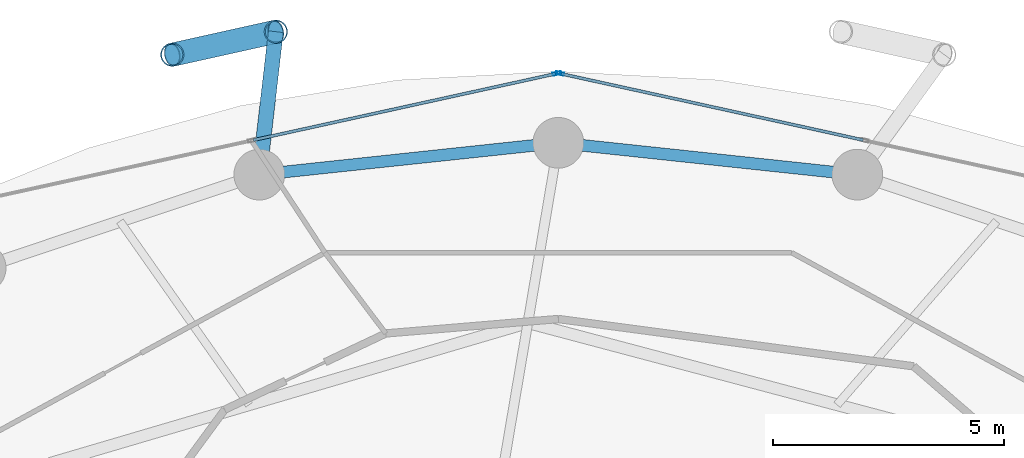
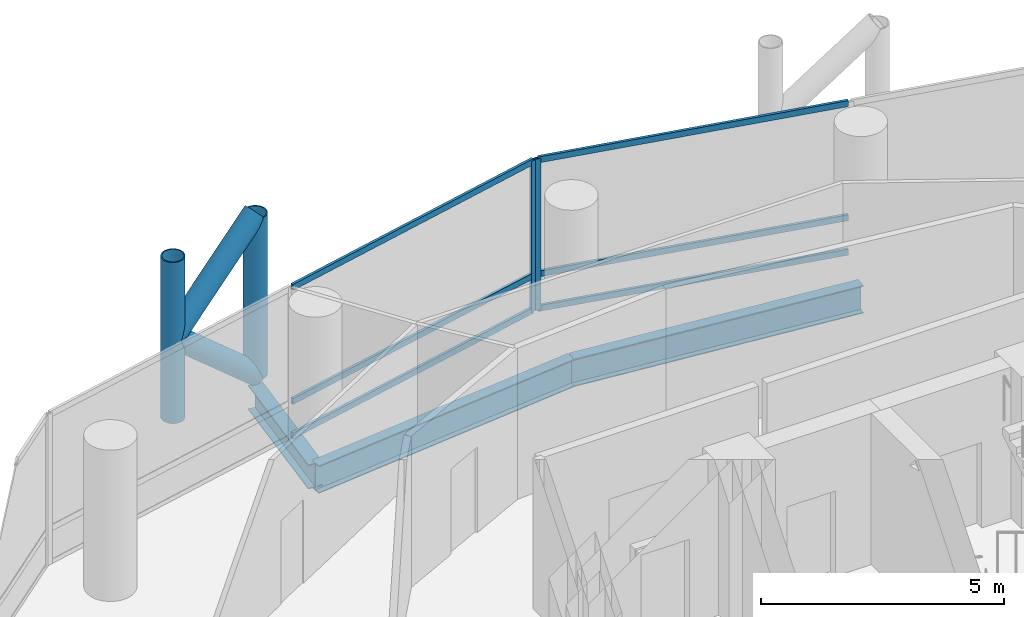
# One storey, part 16 of 25: 12 members, 3 beams, 2 elements without a shape of their own.
"""IFC4 building model written with IfcOpenShell, lengths in metres."""

from ifc_helpers import new_model, si_unit, direction, frame, origin, origin_2d, place, context, subcontext, project, spatial, hollow_rectangle, hollow_circle, i_section, extrude, material, layer, layer_set, material_profile, profile_set, type_object, element, aggregate, save


model = new_model("IFC4")

# Units and contexts
model_context = context("Model", 3, precision=1e-05, world=origin(), true_north=direction((0.0, 1.0)))
body_context = subcontext(model_context, "Body", "Model", "MODEL_VIEW")
ifc_project = project(units=[si_unit("LENGTHUNIT", "METRE"), si_unit("AREAUNIT", "SQUARE_METRE"), si_unit("VOLUMEUNIT", "CUBIC_METRE"), si_unit("PLANEANGLEUNIT", "RADIAN"), si_unit("MASSUNIT", "GRAM", prefix="KILO")], contexts=[model_context])

# Site, building, storey
site_placement = place(None, origin())
site = spatial("IfcSite", under=ifc_project, at=site_placement, CompositionType="ELEMENT")
building_placement = place(site_placement, origin())
building = spatial("IfcBuilding", under=site, at=building_placement, Name="Nuhasar Tower", CompositionType="ELEMENT")
storey_placement = place(building_placement, frame((0.0, 0.0, 61.5)))
storey = spatial("IfcBuildingStorey", under=building, at=storey_placement, Name="L14", CompositionType="ELEMENT", Elevation=61.5)

# Beams
ifc_material_1 = material(Name="Steel S355", Category="steel")
ifc_material_profile_1 = material_profile(ifc_material_1, i_section(OverallWidth=0.256103515625, OverallDepth=0.693115234375, WebThickness=0.014404296875, FlangeThickness=0.023681640625, at=origin_2d()), Name="W27X114")
ifc_profile_set_1 = profile_set([ifc_material_profile_1], Name="Steel S355")
beam_type_1 = type_object("IfcBeamType", Name="BM-RING-W27X114", PredefinedType="SPANDREL", material=ifc_profile_set_1)
for number, where, z_axis, x_axis, name in (
    (1, (45.48291015625, 46.360107421875, -0.595947265625), (-0.994384554061, 0.105827022286, 0.0), (-0.105827022286, -0.994384554061, 0.0), "L14 Perimeter Ring Spandrel 06"),
    (2, (39.0, 47.050048828125, -0.595947265625), (-0.994384554061, -0.105827022286, 0.0), (0.105827022286, -0.994384554061, 0.0), "L14 Perimeter Ring Spandrel 07"),
):
    element("IfcBeam", number, at=place(storey_placement, frame(where, z_axis=z_axis, x_axis=x_axis)), inside=storey, type_object=beam_type_1, Name=name, PredefinedType="SPANDREL", context=body_context, shape_type="SweptSolid", body=[
        extrude(i_section(OverallWidth=0.256103515625, OverallDepth=0.693115234375, WebThickness=0.014404296875, FlangeThickness=0.023681640625, at=origin_2d()), origin(), (0.0, 0.0, 1.0), 6.51953125),
    ])
ifc_material_profile_2 = material_profile(ifc_material_1, i_section(OverallWidth=0.323974609375, OverallDepth=0.611083984375, WebThickness=0.0126953125, FlangeThickness=0.01904296875, at=origin_2d()), Name="W24X104")
ifc_profile_set_2 = profile_set([ifc_material_profile_2], Name="Steel S355")
beam_type_2 = type_object("IfcBeamType", Name="BM-TIE-W24X104", PredefinedType="BEAM", material=ifc_profile_set_2)
beam_placement = place(storey_placement, frame((32.51708984375, 46.360107421875, -0.555908203125), z_axis=(0.115042934281, 0.993360520291, 0.0), x_axis=(-0.993360520291, 0.115042934281, 0.0)))
element("IfcBeam", 3, at=beam_placement, inside=storey, type_object=beam_type_2, Name="L14 Exoskeleton Node Tie Beam 04", PredefinedType="BEAM", context=body_context, shape_type="SweptSolid", body=[
    extrude(i_section(OverallWidth=0.323974609375, OverallDepth=0.611083984375, WebThickness=0.0126953125, FlangeThickness=0.01904296875, at=origin_2d()), origin(), (0.0, 0.0, 1.0), 3.11962890625),
])

# Curtain wall, member
ifc_material_2 = material(Name="Aluminium 6063-T6", Category="aluminium")
ifc_layer = layer(ifc_material_2, 0.199951171875)
ifc_layer_set = layer_set([ifc_layer], Name="Aluminium 6063-T6")
curtain_wall_type = type_object("IfcCurtainWallType", Name="CW-Z1-OFF", PredefinedType="NOTDEFINED", material=ifc_layer_set)
curtain_wall_1_placement = place(storey_placement, origin())
curtain_wall_1 = element("IfcCurtainWall", 4, at=curtain_wall_1_placement, inside=storey, type_object=curtain_wall_type, Name="L14 Unitised Curtain Wall 03", PredefinedType="NOTDEFINED")
ifc_material_profile_3 = material_profile(ifc_material_2, hollow_rectangle(XDim=0.06494140625, YDim=0.179931640625, WallThickness=0.0048828125, at=origin_2d()), Name="CWM-2")
ifc_profile_set_3 = profile_set([ifc_material_profile_3], Name="Aluminium 6063-T6")
member_type_1 = type_object("IfcMemberType", Name="CW-MUL-S2", PredefinedType="MULLION", material=ifc_profile_set_3)
member_1_placement = place(storey_placement, frame((39.03173828125, 48.552978515625, 0.0), z_axis=(0.0, 0.0, 1.0), x_axis=(-0.214398737637, -0.976746221544, 0.0)))
member_1 = element("IfcMember", 5, at=member_1_placement, type_object=member_type_1, Name="CW-Z1 mullion 3", PredefinedType="MULLION", context=body_context, shape_type="SweptSolid", body=[
    extrude(hollow_rectangle(XDim=0.06494140625, YDim=0.179931640625, WallThickness=0.0048828125, at=origin_2d()), origin(), (0.0, 0.0, 1.0), 3.800048828125),
])

curtain_wall_2_placement = place(storey_placement, origin())
curtain_wall_2 = element("IfcCurtainWall", 6, at=curtain_wall_2_placement, inside=storey, type_object=curtain_wall_type, Name="L14 Unitised Curtain Wall 04", PredefinedType="NOTDEFINED")
member_2_placement = place(storey_placement, frame((38.96826171875, 48.552978515625, 0.0), z_axis=(0.0, 0.0, 1.0), x_axis=(0.214398737637, -0.976746221544, 0.0)))
member_2 = element("IfcMember", 7, at=member_2_placement, type_object=member_type_1, Name="CW-Z1 mullion 1", PredefinedType="MULLION", context=body_context, shape_type="SweptSolid", body=[
    extrude(hollow_rectangle(XDim=0.06494140625, YDim=0.179931640625, WallThickness=0.0048828125, at=origin_2d()), origin(), (0.0, 0.0, 1.0), 3.800048828125),
])

# Member
ifc_material_profile_4 = material_profile(ifc_material_2, hollow_rectangle(XDim=0.06494140625, YDim=0.14990234375, WallThickness=0.00439453125, at=origin_2d()), Name="CWT-2")
ifc_profile_set_4 = profile_set([ifc_material_profile_4], Name="Aluminium 6063-T6")
member_type_2 = type_object("IfcMemberType", Name="CW-TRN-S2", PredefinedType="USERDEFINED", material=ifc_profile_set_4)
member_3_placement = place(storey_placement, frame((45.608154296875, 47.109375, 0.032470703125), z_axis=(-0.976740248595, 0.214425947065, 0.0), x_axis=(-0.214425947065, -0.976740248595, 0.0)))
member_3 = element("IfcMember", 8, at=member_3_placement, type_object=member_type_2, Name="CW-Z1 transom 2.1", ObjectType="TRANSOM", PredefinedType="USERDEFINED", context=body_context, shape_type="SweptSolid", body=[
    extrude(hollow_rectangle(XDim=0.06494140625, YDim=0.14990234375, WallThickness=0.00439453125, at=origin_2d()), origin(), (0.0, 0.0, 1.0), 6.700439453125),
])

member_4_placement = place(storey_placement, frame((45.608154296875, 47.109375, 0.89990234375), z_axis=(-0.976740248595, 0.214425947065, 0.0), x_axis=(-0.214425947065, -0.976740248595, 0.0)))
member_4 = element("IfcMember", 9, at=member_4_placement, type_object=member_type_2, Name="CW-Z1 transom 2.2", ObjectType="TRANSOM", PredefinedType="USERDEFINED", context=body_context, shape_type="SweptSolid", body=[
    extrude(hollow_rectangle(XDim=0.06494140625, YDim=0.14990234375, WallThickness=0.00439453125, at=origin_2d()), origin(), (0.0, 0.0, 1.0), 6.700439453125),
])

member_5_placement = place(storey_placement, frame((45.608154296875, 47.109375, 3.767578125), z_axis=(-0.976740248595, 0.214425947065, 0.0), x_axis=(-0.214425947065, -0.976740248595, 0.0)))
member_5 = element("IfcMember", 10, at=member_5_placement, type_object=member_type_2, Name="CW-Z1 transom 2.3", ObjectType="TRANSOM", PredefinedType="USERDEFINED", context=body_context, shape_type="SweptSolid", body=[
    extrude(hollow_rectangle(XDim=0.06494140625, YDim=0.14990234375, WallThickness=0.00439453125, at=origin_2d()), origin(), (0.0, 0.0, 1.0), 6.700439453125),
])

aggregate(curtain_wall_1, [member_1, member_3, member_4, member_5])

member_6_placement = place(storey_placement, frame((38.9365234375, 48.546142578125, 0.032470703125), z_axis=(-0.976740248595, -0.214425947065, 0.0), x_axis=(0.214425947065, -0.976740248595, 0.0)))
member_6 = element("IfcMember", 11, at=member_6_placement, type_object=member_type_2, Name="CW-Z1 transom 1.1", ObjectType="TRANSOM", PredefinedType="USERDEFINED", context=body_context, shape_type="SweptSolid", body=[
    extrude(hollow_rectangle(XDim=0.06494140625, YDim=0.14990234375, WallThickness=0.00439453125, at=origin_2d()), origin(), (0.0, 0.0, 1.0), 6.700439453125),
])

member_7_placement = place(storey_placement, frame((38.9365234375, 48.546142578125, 0.89990234375), z_axis=(-0.976740248595, -0.214425947065, 0.0), x_axis=(0.214425947065, -0.976740248595, 0.0)))
member_7 = element("IfcMember", 12, at=member_7_placement, type_object=member_type_2, Name="CW-Z1 transom 1.2", ObjectType="TRANSOM", PredefinedType="USERDEFINED", context=body_context, shape_type="SweptSolid", body=[
    extrude(hollow_rectangle(XDim=0.06494140625, YDim=0.14990234375, WallThickness=0.00439453125, at=origin_2d()), origin(), (0.0, 0.0, 1.0), 6.700439453125),
])

member_8_placement = place(storey_placement, frame((38.9365234375, 48.546142578125, 3.767578125), z_axis=(-0.976740248595, -0.214425947065, 0.0), x_axis=(0.214425947065, -0.976740248595, 0.0)))
member_8 = element("IfcMember", 13, at=member_8_placement, type_object=member_type_2, Name="CW-Z1 transom 1.3", ObjectType="TRANSOM", PredefinedType="USERDEFINED", context=body_context, shape_type="SweptSolid", body=[
    extrude(hollow_rectangle(XDim=0.06494140625, YDim=0.14990234375, WallThickness=0.00439453125, at=origin_2d()), origin(), (0.0, 0.0, 1.0), 6.700439453125),
])

aggregate(curtain_wall_2, [member_2, member_6, member_7, member_8])

# Members
ifc_material_3 = material(Name="Steel S460", Category="steel")
ifc_material_profile_5 = material_profile(ifc_material_3, hollow_circle(Radius=0.25390625, WallThickness=0.025390625, at=origin_2d()), Name="HSS508X25.4")
ifc_profile_set_5 = profile_set([ifc_material_profile_5], Name="Steel S460")
member_type_3 = type_object("IfcMemberType", Name="EXO-BRONZE-508", PredefinedType="BRACE", material=ifc_profile_set_5)
for number, where, z_axis, x_axis, name in (
    (14, (32.8759765625, 49.458984375, 0.0), (0.0, 0.0, 1.0), (1.0, 0.0, 0.0), "L14 Exoskeleton Chord Column EC-04A"),
    (15, (30.6298828125, 48.9599609375, 0.0), (0.0, 0.0, 1.0), (1.0, 0.0, 0.0), "L14 Exoskeleton Chord Column EC-04B"),
):
    element("IfcMember", number, at=place(storey_placement, frame(where, z_axis=z_axis, x_axis=x_axis)), inside=storey, type_object=member_type_3, Name=name, PredefinedType="BRACE", context=body_context, shape_type="SweptSolid", body=[
        extrude(hollow_circle(Radius=0.25390625, WallThickness=0.025390625, at=origin_2d()), origin(), (0.0, 0.0, 1.0), 4.050048828125),
    ])
member_9_placement = place(storey_placement, frame((32.8759765625, 49.458984375, 0.0), z_axis=(-0.732821471909, -0.162813813976, 0.660654487828), x_axis=(0.216885517571, -0.97619704582, 0.0)))
element("IfcMember", 16, at=member_9_placement, inside=storey, type_object=member_type_3, Name="L14 Bronze Diagrid Brace W1-04", PredefinedType="BRACE", context=body_context, shape_type="SweptSolid", body=[
    extrude(hollow_circle(Radius=0.25390625, WallThickness=0.025390625, at=origin_2d()), origin(), (0.0, 0.0, 1.0), 3.06494140625),
])
member_10_placement = place(storey_placement, frame((30.6298828125, 48.9599609375, 2.02490234375), z_axis=(0.732782908552, 0.162805246204, 0.660699372439), x_axis=(-0.216885517571, 0.97619704582, 0.0)))
element("IfcMember", 17, at=member_10_placement, inside=storey, type_object=member_type_3, Name="L14 Bronze Diagrid Brace W2-04", PredefinedType="BRACE", context=body_context, shape_type="SweptSolid", body=[
    extrude(hollow_circle(Radius=0.25390625, WallThickness=0.025390625, at=origin_2d()), origin(), (0.0, 0.0, 1.0), 3.065185546875),
])

save(model, "model.ifc")
